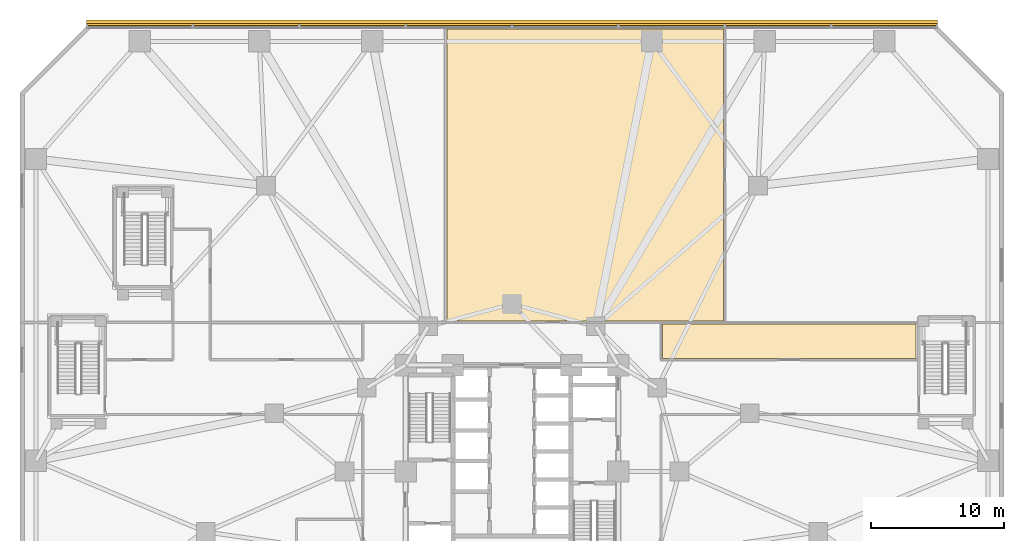
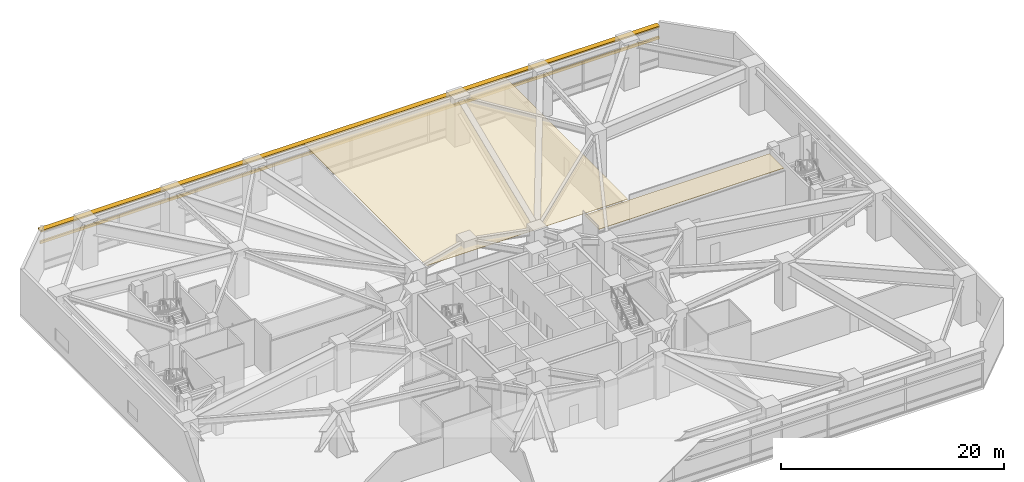
# One storey, part 26 of 27: 2 coverings, 2 shading devices.
"""IFC4 building model written with IfcOpenShell, lengths in metres."""

from ifc_helpers import new_model, si_unit, direction, frame, origin, origin_2d, place, context, subcontext, project, spatial, polyline, rectangle, outline, extrude, material, layer, layer_set, type_object, element, save


model = new_model("IFC4")

# Units and contexts
model_context = context("Model", 3, precision=1e-05, world=origin(), true_north=direction((0.0, 1.0)))
body_context = subcontext(model_context, "Body", "Model", "MODEL_VIEW")
ifc_project = project(units=[si_unit("LENGTHUNIT", "METRE"), si_unit("AREAUNIT", "SQUARE_METRE"), si_unit("VOLUMEUNIT", "CUBIC_METRE"), si_unit("PLANEANGLEUNIT", "RADIAN"), si_unit("MASSUNIT", "GRAM", prefix="KILO")], contexts=[model_context])

# Site, building, storey
site_placement = place(None, origin())
site = spatial("IfcSite", under=ifc_project, at=site_placement, CompositionType="ELEMENT")
building_placement = place(site_placement, origin())
building = spatial("IfcBuilding", under=site, at=building_placement, Name="Terralouvre Media Tower", CompositionType="ELEMENT")
storey_placement = place(building_placement, frame((0.0, 0.0, 5.199951171875)))
storey = spatial("IfcBuildingStorey", under=building, at=storey_placement, Name="L01", CompositionType="ELEMENT", Elevation=5.199951171875)

# Coverings
ifc_material_1 = material(Name="Perforated aluminium acoustic ceiling baffle", Category="aluminium")
ifc_layer = layer(ifc_material_1, 0.0400390625, Name="Perforated Acoustic Metal Tile Ceiling CL-AC1")
ifc_layer_set = layer_set([ifc_layer], Name="Perforated aluminium acoustic ceiling baffle")
covering_type = type_object("IfcCoveringType", Name="Perforated Acoustic Metal Tile Ceiling CL-AC1", PredefinedType="CEILING", material=ifc_layer_set)
covering_1_placement = place(storey_placement, frame((0.0, 0.0, 4.429931640625)))
element("IfcCovering", 1, at=covering_1_placement, inside=storey, type_object=covering_type, Name="L01 L01 Production Briefing Conference Room 6 Acoustic Ceiling", PredefinedType="CEILING", context=body_context, shape_type="SweptSolid", body=[
    extrude(outline(polyline([(11.300048828125, 8.5), (30.39990234375, 8.5), (30.39990234375, 11.10009765625), (11.300048828125, 11.10009765625), (11.300048828125, 8.5)])), origin(), (0.0, 0.0, 1.0), 0.0400390625),
])
covering_2_placement = place(storey_placement, frame((0.0, 0.0, 4.429931640625)))
element("IfcCovering", 2, at=covering_2_placement, inside=storey, type_object=covering_type, Name="L01 L01 Hospitality Pantry Kitchen 8 Acoustic Ceiling", PredefinedType="CEILING", context=body_context, shape_type="SweptSolid", body=[
    extrude(outline(polyline([(15.89990234375, 11.300048828125), (15.89990234375, 33.280029296875), (-4.89990234375, 33.280029296875), (-4.89990234375, 11.300048828125), (15.89990234375, 11.300048828125)])), origin(), (0.0, 0.0, 1.0), 0.0400390625),
])

# Shading devices
ifc_material_2 = material(Name="Extruded terracotta baguette sunshade louvres", Category="masonry")
shading_device_type_1 = type_object("IfcShadingDeviceType", Name="Podium Deep Terracotta Sunshade Canopy Blade TB-SH1", PredefinedType="USERDEFINED", material=ifc_material_2)
shading_device_1_placement = place(storey_placement, frame((0.0, 33.679931640625, 4.18994140625), z_axis=(0.0, 0.0, 1.0), x_axis=(-1.0, 0.0, 0.0)))
element("IfcShadingDevice", 3, at=shading_device_1_placement, inside=storey, type_object=shading_device_type_1, Name="L01 Podium Deep Sunshade Blade F4", ObjectType="SUNSHADE", PredefinedType="USERDEFINED", context=body_context, shape_type="SweptSolid", body=[
    extrude(rectangle(XDim=64.0, YDim=0.550048828125, at=origin_2d()), origin(), (0.0, 0.0, 1.0), 0.159912109375),
])
ifc_material_3 = material(Name="Extruded terracotta baguette sunshade louvres", Category="masonry")
shading_device_type_2 = type_object("IfcShadingDeviceType", Name="Terracotta Baguette Sunshade Louvre Screen TB-LV1", PredefinedType="USERDEFINED", material=ifc_material_3)
shading_device_2_placement = place(storey_placement, frame((0.0, 33.6201171875, 2.82470703125), z_axis=(0.0, 0.0, 1.0), x_axis=(-1.0, 0.0, 0.0)))
element("IfcShadingDevice", 4, at=shading_device_2_placement, inside=storey, type_object=shading_device_type_2, Name="CW-L01-F4 Terracotta Baguette Sunshade Louvre", ObjectType="BAGUETTE", PredefinedType="USERDEFINED", context=body_context, shape_type="SweptSolid", body=[
    extrude(rectangle(XDim=64.0, YDim=0.179931640625, at=origin_2d()), origin(), (0.0, 0.0, 1.0), 0.280029296875),
])

save(model, "model.ifc")
